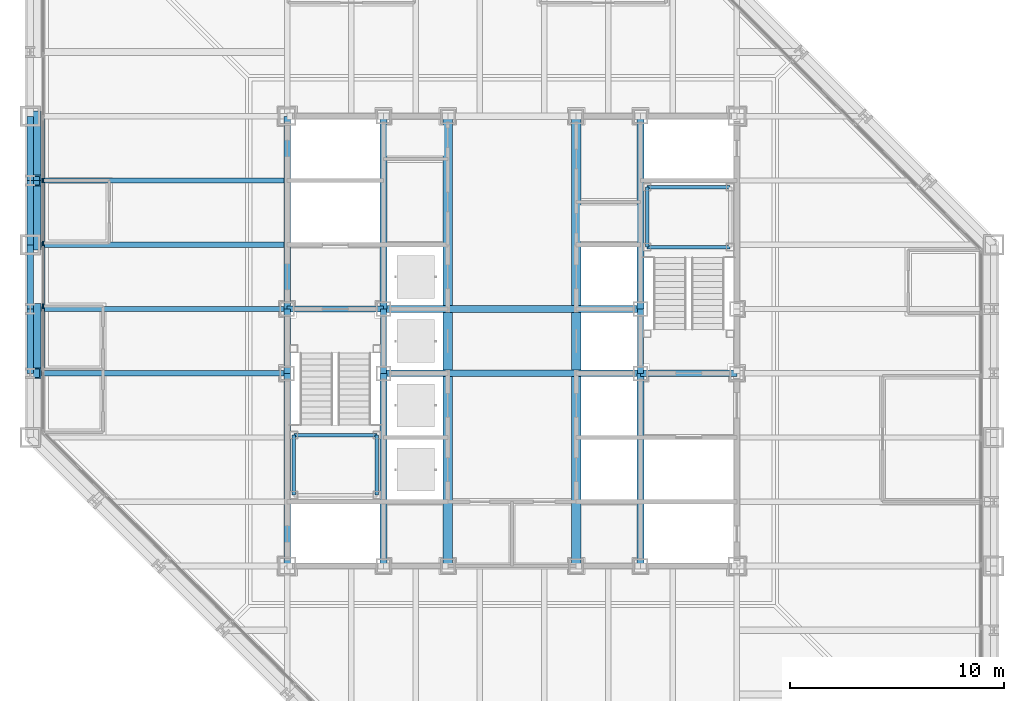
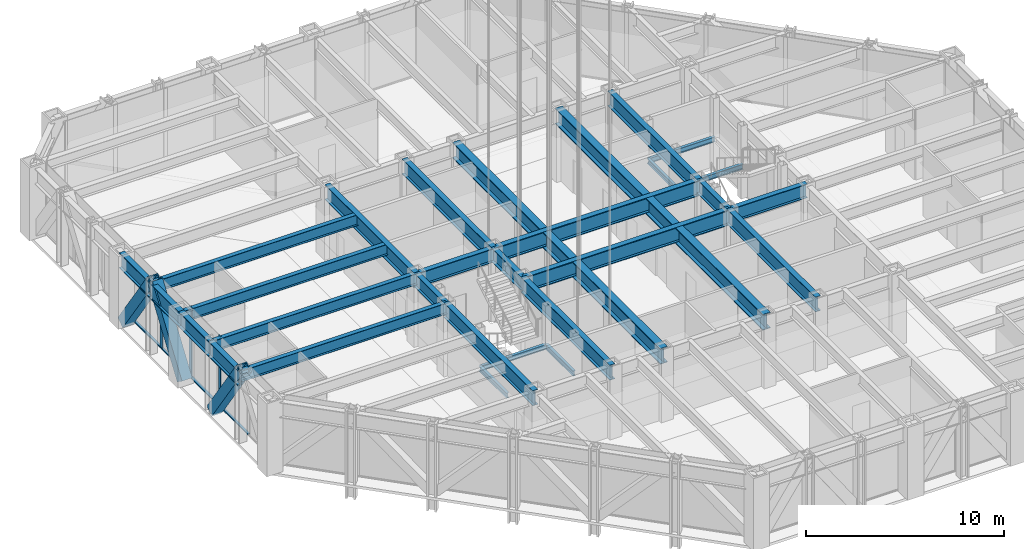
# One storey, part 5 of 26: 33 beams, 10 members, 1 element without a shape of its own.
"""IFC4 building model written with IfcOpenShell, lengths in metres."""

from ifc_helpers import new_model, si_unit, direction, frame, origin, origin_2d, place, context, subcontext, project, spatial, rectangle, hollow_rectangle, i_section, extrude, material, layer, layer_set, material_profile, profile_set, type_object, element, aggregate, save


model = new_model("IFC4")

# Units and contexts
model_context = context("Model", 3, precision=1e-05, world=origin(), true_north=direction((0.0, 1.0)))
body_context = subcontext(model_context, "Body", "Model", "MODEL_VIEW")
ifc_project = project(units=[si_unit("LENGTHUNIT", "METRE"), si_unit("AREAUNIT", "SQUARE_METRE"), si_unit("VOLUMEUNIT", "CUBIC_METRE"), si_unit("PLANEANGLEUNIT", "RADIAN"), si_unit("MASSUNIT", "GRAM", prefix="KILO")], contexts=[model_context])

# Site, building, storey
site_placement = place(None, origin())
site = spatial("IfcSite", under=ifc_project, at=site_placement, CompositionType="ELEMENT")
building_placement = place(site_placement, origin())
building = spatial("IfcBuilding", under=site, at=building_placement, Name="Chuquiago Exchange Tower", CompositionType="ELEMENT")
storey_placement = place(building_placement, frame((0.0, 0.0, 102.300048828125)))
storey = spatial("IfcBuildingStorey", under=building, at=storey_placement, Name="L21", CompositionType="ELEMENT", Elevation=102.300048828125)

# Beams
ifc_material_1 = material(Name="Steel ASTM A992", Category="steel")
ifc_material_profile_1 = material_profile(ifc_material_1, i_section(OverallWidth=0.25390625, OverallDepth=0.683349609375, WebThickness=0.012451171875, FlangeThickness=0.018798828125, at=origin_2d()), Name="W27X94")
ifc_profile_set_1 = profile_set([ifc_material_profile_1], Name="Steel ASTM A992")
beam_type_1 = type_object("IfcBeamType", Name="B1 W27X94", PredefinedType="BEAM", material=ifc_profile_set_1)
for number, where, z_axis, x_axis, name in (
    (1, (12.0, 21.0, 3.998291015625), (-1.0, 0.0, 0.0), (0.0, -1.0, 0.0), "FB-L22-infill-12_21--0_21-0"),
    (2, (12.0, 24.0, 3.998291015625), (-1.0, 0.0, 0.0), (0.0, -1.0, 0.0), "FB-L22-infill-12_24--0_24-0"),
    (3, (12.0, 27.0, 3.998291015625), (-1.0, 0.0, 0.0), (0.0, -1.0, 0.0), "FB-L22-infill-12_27--0_27-0"),
    (4, (12.0, 30.0, 3.998291015625), (-1.0, 0.0, 0.0), (0.0, -1.0, 0.0), "FB-L22-infill-12_30--0_30-0"),
):
    element("IfcBeam", number, at=place(storey_placement, frame(where, z_axis=z_axis, x_axis=x_axis)), inside=storey, type_object=beam_type_1, Name=name, PredefinedType="BEAM", context=body_context, shape_type="SweptSolid", body=[
        extrude(i_section(OverallWidth=0.25390625, OverallDepth=0.683349609375, WebThickness=0.012451171875, FlangeThickness=0.018798828125, at=origin_2d()), origin(), (0.0, 0.0, 1.0), 12.0),
    ])
ifc_material_2 = material(Name="Steel ASTM A992", Category="steel")
ifc_material_profile_2 = material_profile(ifc_material_2, i_section(OverallWidth=0.307373046875, OverallDepth=0.927001953125, WebThickness=0.01953125, FlangeThickness=0.031982421875, at=origin_2d()), Name="W36X194")
ifc_profile_set_2 = profile_set([ifc_material_profile_2], Name="Steel ASTM A992")
beam_type_2 = type_object("IfcBeamType", Name="B10 W36X194", PredefinedType="BEAM", material=ifc_profile_set_2)
for number, where, z_axis, x_axis, name in (
    (5, (12.0, 12.0, 3.87646484375), (0.0, 1.0, 0.0), (-1.0, 0.0, 0.0), "CB-L22-12_12-12_21"),
    (6, (12.0, 24.0, 3.87646484375), (0.0, 1.0, 0.0), (-1.0, 0.0, 0.0), "CB-L22-12_24-12_33"),
    (7, (16.5, 12.0, 3.87646484375), (0.0, 1.0, 0.0), (-1.0, 0.0, 0.0), "CB-L22-16.5_12-16.5_21"),
    (8, (16.5, 24.0, 3.87646484375), (0.0, 1.0, 0.0), (-1.0, 0.0, 0.0), "CB-L22-16.5_24-16.5_33"),
    (9, (28.5, 12.0, 3.87646484375), (0.0, 1.0, 0.0), (-1.0, 0.0, 0.0), "CB-L22-28.5_12-28.5_21"),
    (10, (28.5, 24.0, 3.87646484375), (0.0, 1.0, 0.0), (-1.0, 0.0, 0.0), "CB-L22-28.5_24-28.5_33"),
):
    element("IfcBeam", number, at=place(storey_placement, frame(where, z_axis=z_axis, x_axis=x_axis)), inside=storey, type_object=beam_type_2, Name=name, PredefinedType="BEAM", context=body_context, shape_type="SweptSolid", body=[
        extrude(i_section(OverallWidth=0.307373046875, OverallDepth=0.927001953125, WebThickness=0.01953125, FlangeThickness=0.031982421875, at=origin_2d()), origin(), (0.0, 0.0, 1.0), 9.0),
    ])
ifc_material_3 = material(Name="Steel ASTM A992", Category="steel")
ifc_material_profile_3 = material_profile(ifc_material_3, i_section(OverallWidth=0.309814453125, OverallDepth=0.949951171875, WebThickness=0.0244140625, FlangeThickness=0.0439453125, at=origin_2d()), Name="W36X256")
ifc_profile_set_3 = profile_set([ifc_material_profile_3], Name="Steel ASTM A992")
beam_type_3 = type_object("IfcBeamType", Name="B11 W36X256", PredefinedType="BEAM", material=ifc_profile_set_3)
for number, where, z_axis, x_axis, name in (
    (11, (16.5, 21.0, 3.864990234375), (1.0, 0.0, 0.0), (0.0, 1.0, 0.0), "CB-L22-16.5_21-28.5_21"),
    (12, (16.5, 24.0, 3.864990234375), (1.0, 0.0, 0.0), (0.0, 1.0, 0.0), "CB-L22-16.5_24-28.5_24"),
):
    element("IfcBeam", number, at=place(storey_placement, frame(where, z_axis=z_axis, x_axis=x_axis)), inside=storey, type_object=beam_type_3, Name=name, PredefinedType="BEAM", context=body_context, shape_type="SweptSolid", body=[
        extrude(i_section(OverallWidth=0.309814453125, OverallDepth=0.949951171875, WebThickness=0.0244140625, FlangeThickness=0.0439453125, at=origin_2d()), origin(), (0.0, 0.0, 1.0), 12.0),
    ])
ifc_material_4 = material(Name="Steel ASTM A992", Category="steel")
ifc_material_profile_4 = material_profile(ifc_material_4, i_section(OverallWidth=0.4267578125, OverallDepth=0.975341796875, WebThickness=0.031005859375, FlangeThickness=0.055908203125, at=origin_2d()), Name="W36X395")
ifc_profile_set_4 = profile_set([ifc_material_profile_4], Name="Steel ASTM A992")
beam_type_4 = type_object("IfcBeamType", Name="B12 W36X395", PredefinedType="BEAM", material=ifc_profile_set_4)
beam_1_placement = place(storey_placement, frame((19.5, 12.0, 3.852294921875), z_axis=(0.0, 1.0, 0.0), x_axis=(-1.0, 0.0, 0.0)))
element("IfcBeam", 13, at=beam_1_placement, inside=storey, type_object=beam_type_4, Name="CB-L22-19.5_12-19.5_20.8451", PredefinedType="BEAM", context=body_context, shape_type="SweptSolid", body=[
    extrude(i_section(OverallWidth=0.4267578125, OverallDepth=0.975341796875, WebThickness=0.031005859375, FlangeThickness=0.055908203125, at=origin_2d()), origin(), (0.0, 0.0, 1.0), 8.84521484375),
])
beam_2_placement = place(storey_placement, frame((19.5, 21.15478515625, 3.852294921875), z_axis=(0.0, 1.0, 0.0), x_axis=(-1.0, 0.0, 0.0)))
element("IfcBeam", 14, at=beam_2_placement, inside=storey, type_object=beam_type_4, Name="CB-L22-19.5_21.1549-19.5_23.8451", PredefinedType="BEAM", context=body_context, shape_type="SweptSolid", body=[
    extrude(i_section(OverallWidth=0.4267578125, OverallDepth=0.975341796875, WebThickness=0.031005859375, FlangeThickness=0.055908203125, at=origin_2d()), origin(), (0.0, 0.0, 1.0), 2.6904296875),
])
for number, where, z_axis, x_axis, name in (
    (15, (19.5, 24.15478515625, 3.852294921875), (0.0, 1.0, 0.0), (-1.0, 0.0, 0.0), "CB-L22-19.5_24.1549-19.5_33"),
    (16, (25.5, 12.0, 3.852294921875), (0.0, 1.0, 0.0), (-1.0, 0.0, 0.0), "CB-L22-25.5_12-25.5_20.8451"),
):
    element("IfcBeam", number, at=place(storey_placement, frame(where, z_axis=z_axis, x_axis=x_axis)), inside=storey, type_object=beam_type_4, Name=name, PredefinedType="BEAM", context=body_context, shape_type="SweptSolid", body=[
        extrude(i_section(OverallWidth=0.4267578125, OverallDepth=0.975341796875, WebThickness=0.031005859375, FlangeThickness=0.055908203125, at=origin_2d()), origin(), (0.0, 0.0, 1.0), 8.84521484375),
    ])
beam_3_placement = place(storey_placement, frame((25.5, 21.15478515625, 3.852294921875), z_axis=(0.0, 1.0, 0.0), x_axis=(-1.0, 0.0, 0.0)))
element("IfcBeam", 17, at=beam_3_placement, inside=storey, type_object=beam_type_4, Name="CB-L22-25.5_21.1549-25.5_23.8451", PredefinedType="BEAM", context=body_context, shape_type="SweptSolid", body=[
    extrude(i_section(OverallWidth=0.4267578125, OverallDepth=0.975341796875, WebThickness=0.031005859375, FlangeThickness=0.055908203125, at=origin_2d()), origin(), (0.0, 0.0, 1.0), 2.6904296875),
])
beam_4_placement = place(storey_placement, frame((25.5, 24.15478515625, 3.852294921875), z_axis=(0.0, 1.0, 0.0), x_axis=(-1.0, 0.0, 0.0)))
element("IfcBeam", 18, at=beam_4_placement, inside=storey, type_object=beam_type_4, Name="CB-L22-25.5_24.1549-25.5_33", PredefinedType="BEAM", context=body_context, shape_type="SweptSolid", body=[
    extrude(i_section(OverallWidth=0.4267578125, OverallDepth=0.975341796875, WebThickness=0.031005859375, FlangeThickness=0.055908203125, at=origin_2d()), origin(), (0.0, 0.0, 1.0), 8.84521484375),
])
ifc_material_5 = material(Name="Steel ASTM A992", Category="steel")
ifc_material_profile_5 = material_profile(ifc_material_5, i_section(OverallWidth=0.2919921875, OverallDepth=0.8583984375, WebThickness=0.01708984375, FlangeThickness=0.031005859375, at=origin_2d()), Name="W33X169")
ifc_profile_set_5 = profile_set([ifc_material_profile_5], Name="Steel ASTM A992")
beam_type_5 = type_object("IfcBeamType", Name="B3 W33X169", PredefinedType="BEAM", material=ifc_profile_set_5)
for number, where, z_axis, x_axis, name in (
    (19, (12.0, 21.0, 3.91064453125), (0.0, 1.0, 0.0), (-1.0, 0.0, 0.0), "CB-L22-12_21-12_24"),
    (20, (16.5, 21.0, 3.91064453125), (0.0, 1.0, 0.0), (-1.0, 0.0, 0.0), "CB-L22-16.5_21-16.5_24"),
    (21, (28.5, 21.0, 3.91064453125), (0.0, 1.0, 0.0), (-1.0, 0.0, 0.0), "CB-L22-28.5_21-28.5_24"),
):
    element("IfcBeam", number, at=place(storey_placement, frame(where, z_axis=z_axis, x_axis=x_axis)), inside=storey, type_object=beam_type_5, Name=name, PredefinedType="BEAM", context=body_context, shape_type="SweptSolid", body=[
        extrude(i_section(OverallWidth=0.2919921875, OverallDepth=0.8583984375, WebThickness=0.01708984375, FlangeThickness=0.031005859375, at=origin_2d()), origin(), (0.0, 0.0, 1.0), 3.0),
    ])
for number, where, z_axis, x_axis, name in (
    (22, (28.5, 21.0, 3.91064453125), (1.0, 0.0, 0.0), (0.0, 1.0, 0.0), "CB-L22-28.5_21-33_21"),
    (23, (12.0, 24.0, 3.91064453125), (1.0, 0.0, 0.0), (0.0, 1.0, 0.0), "CB-L22-12_24-16.5_24"),
):
    element("IfcBeam", number, at=place(storey_placement, frame(where, z_axis=z_axis, x_axis=x_axis)), inside=storey, type_object=beam_type_5, Name=name, PredefinedType="BEAM", context=body_context, shape_type="SweptSolid", body=[
        extrude(i_section(OverallWidth=0.2919921875, OverallDepth=0.8583984375, WebThickness=0.01708984375, FlangeThickness=0.031005859375, at=origin_2d()), origin(), (0.0, 0.0, 1.0), 4.5),
    ])

# Curtain wall, members
ifc_material_6 = material(Name="Aluminium curtain wall system", Category="aluminium")
ifc_layer = layer(ifc_material_6, 0.22509765625)
ifc_layer_set = layer_set([ifc_layer], Name="CW2 office curtain wall")
curtain_wall_type = type_object("IfcCurtainWallType", Name="CW2 office curtain wall", PredefinedType="NOTDEFINED", material=ifc_layer_set)
curtain_wall_placement = place(storey_placement, origin())
curtain_wall = element("IfcCurtainWall", 24, at=curtain_wall_placement, inside=storey, type_object=curtain_wall_type, Name="CW2 curtain wall L21", PredefinedType="NOTDEFINED")
ifc_material_7 = material(Name="Aluminium mullion, pale anodised", Category="aluminium")
ifc_material_profile_6 = material_profile(ifc_material_7, rectangle(XDim=0.06494140625, YDim=0.22509765625, at=origin_2d()), Name="AL 65x225")
ifc_profile_set_6 = profile_set([ifc_material_profile_6], Name="Aluminium mullion, pale anodised")
member_type_1 = type_object("IfcMemberType", Name="CW2-M mullion 65x225", PredefinedType="MULLION", material=ifc_profile_set_6)
member_1_placement = place(storey_placement, frame((0.60009765625, 30.0, 0.0), z_axis=(0.0, 0.0, 1.0), x_axis=(1.0, 0.0, 0.0)))
member_1 = element("IfcMember", 25, at=member_1_placement, type_object=member_type_1, Name="CW2 mullion 5", PredefinedType="MULLION", context=body_context, shape_type="SweptSolid", body=[
    extrude(rectangle(XDim=0.06494140625, YDim=0.22509765625, at=origin_2d()), origin(), (0.0, 0.0, 1.0), 4.33984375),
])
member_2_placement = place(storey_placement, frame((0.60009765625, 27.06201171875, 0.0), z_axis=(0.0, 0.0, 1.0), x_axis=(1.0, 0.0, 0.0)))
member_2 = element("IfcMember", 26, at=member_2_placement, type_object=member_type_1, Name="CW2 mullion 6", PredefinedType="MULLION", context=body_context, shape_type="SweptSolid", body=[
    extrude(rectangle(XDim=0.06494140625, YDim=0.22509765625, at=origin_2d()), origin(), (0.0, 0.0, 1.0), 4.33984375),
])
member_3_placement = place(storey_placement, frame((0.60009765625, 24.124267578125, 0.0), z_axis=(0.0, 0.0, 1.0), x_axis=(1.0, 0.0, 0.0)))
member_3 = element("IfcMember", 27, at=member_3_placement, type_object=member_type_1, Name="CW2 mullion 7", PredefinedType="MULLION", context=body_context, shape_type="SweptSolid", body=[
    extrude(rectangle(XDim=0.06494140625, YDim=0.22509765625, at=origin_2d()), origin(), (0.0, 0.0, 1.0), 4.33984375),
])
ifc_material_8 = material(Name="Aluminium transom, pale anodised", Category="aluminium")
ifc_material_profile_7 = material_profile(ifc_material_8, rectangle(XDim=0.139892578125, YDim=0.06494140625, at=origin_2d()), Name="AL 140x65")
ifc_profile_set_7 = profile_set([ifc_material_profile_7], Name="Aluminium transom, pale anodised")
member_type_2 = type_object("IfcMemberType", Name="CW2-T transom 65x140", PredefinedType="MULLION", material=ifc_profile_set_7)
member_4_placement = place(storey_placement, frame((0.60009765625, 32.9052734375, 0.032470703125), z_axis=(0.0, -1.0, 0.0), x_axis=(1.0, 0.0, 0.0)))
member_4 = element("IfcMember", 28, at=member_4_placement, type_object=member_type_2, Name="CW2 transom 4.1", PredefinedType="MULLION", context=body_context, shape_type="SweptSolid", body=[
    extrude(rectangle(XDim=0.139892578125, YDim=0.06494140625, at=origin_2d()), origin(), (0.0, 0.0, 1.0), 2.872802734375),
])
member_5_placement = place(storey_placement, frame((0.60009765625, 29.967529296875, 0.032470703125), z_axis=(0.0, -1.0, 0.0), x_axis=(1.0, 0.0, 0.0)))
member_5 = element("IfcMember", 29, at=member_5_placement, type_object=member_type_2, Name="CW2 transom 5.1", PredefinedType="MULLION", context=body_context, shape_type="SweptSolid", body=[
    extrude(rectangle(XDim=0.139892578125, YDim=0.06494140625, at=origin_2d()), origin(), (0.0, 0.0, 1.0), 2.872802734375),
])
member_6_placement = place(storey_placement, frame((0.60009765625, 27.029541015625, 0.032470703125), z_axis=(0.0, -1.0, 0.0), x_axis=(1.0, 0.0, 0.0)))
member_6 = element("IfcMember", 30, at=member_6_placement, type_object=member_type_2, Name="CW2 transom 6.1", PredefinedType="MULLION", context=body_context, shape_type="SweptSolid", body=[
    extrude(rectangle(XDim=0.139892578125, YDim=0.06494140625, at=origin_2d()), origin(), (0.0, 0.0, 1.0), 2.872802734375),
])
member_7_placement = place(storey_placement, frame((0.60009765625, 24.091796875, 0.032470703125), z_axis=(0.0, -1.0, 0.0), x_axis=(1.0, 0.0, 0.0)))
member_7 = element("IfcMember", 31, at=member_7_placement, type_object=member_type_2, Name="CW2 transom 7.1", PredefinedType="MULLION", context=body_context, shape_type="SweptSolid", body=[
    extrude(rectangle(XDim=0.139892578125, YDim=0.06494140625, at=origin_2d()), origin(), (0.0, 0.0, 1.0), 2.872802734375),
])
aggregate(curtain_wall, [member_1, member_2, member_3, member_4, member_5, member_6, member_7])

# Beams
ifc_material_9 = material(Name="Steel ASTM A992", Category="steel")
ifc_material_profile_8 = material_profile(ifc_material_9, i_section(OverallWidth=0.164794921875, OverallDepth=0.309814453125, WebThickness=0.005859375, FlangeThickness=0.009765625, at=origin_2d()), Name="W12X26")
ifc_profile_set_8 = profile_set([ifc_material_profile_8], Name="Steel ASTM A992")
beam_type_6 = type_object("IfcBeamType", Name="LS1 W12X26", PredefinedType="BEAM", material=ifc_profile_set_8)
for number, where, z_axis, x_axis, name in (
    (32, (12.31005859375, 15.31005859375, 1.89501953125), (0.0, 1.0, 0.0), (-1.0, 0.0, 0.0), "Stair ST1 L21 landing 1 stringer"),
    (33, (16.18994140625, 15.31005859375, 1.89501953125), (0.0, 1.0, 0.0), (-1.0, 0.0, 0.0), "Stair ST1 L21 landing 1 stringer"),
    (34, (28.81005859375, 26.889892578125, 1.89501953125), (0.0, 1.0, 0.0), (-1.0, 0.0, 0.0), "Stair ST2 L21 landing 1 stringer"),
):
    element("IfcBeam", number, at=place(storey_placement, frame(where, z_axis=z_axis, x_axis=x_axis)), inside=storey, type_object=beam_type_6, Name=name, PredefinedType="BEAM", context=body_context, shape_type="SweptSolid", body=[
        extrude(i_section(OverallWidth=0.164794921875, OverallDepth=0.309814453125, WebThickness=0.005859375, FlangeThickness=0.009765625, at=origin_2d()), origin(), (0.0, 0.0, 1.0), 2.800048828125),
    ])
ifc_material_10 = material(Name="Steel ASTM A992", Category="steel")
ifc_material_profile_9 = material_profile(ifc_material_10, i_section(OverallWidth=0.164794921875, OverallDepth=0.309814453125, WebThickness=0.005859375, FlangeThickness=0.009765625, at=origin_2d()), Name="W12X26")
ifc_profile_set_9 = profile_set([ifc_material_profile_9], Name="Steel ASTM A992")
beam_type_7 = type_object("IfcBeamType", Name="LT1 W12X26", PredefinedType="BEAM", material=ifc_profile_set_9)
for number, where, z_axis, x_axis, name in (
    (35, (12.31005859375, 18.110107421875, 1.89501953125), (1.0, 0.0, 0.0), (0.0, 1.0, 0.0), "Stair ST1 L21 landing 1 trimmer"),
    (36, (28.81005859375, 29.68994140625, 1.89501953125), (1.0, 0.0, 0.0), (0.0, 1.0, 0.0), "Stair ST2 L21 landing 1 trimmer"),
    (37, (28.81005859375, 26.889892578125, 1.89501953125), (1.0, 0.0, 0.0), (0.0, 1.0, 0.0), "Stair ST2 L21 landing 1 trimmer"),
):
    element("IfcBeam", number, at=place(storey_placement, frame(where, z_axis=z_axis, x_axis=x_axis)), inside=storey, type_object=beam_type_7, Name=name, PredefinedType="BEAM", context=body_context, shape_type="SweptSolid", body=[
        extrude(i_section(OverallWidth=0.164794921875, OverallDepth=0.309814453125, WebThickness=0.005859375, FlangeThickness=0.009765625, at=origin_2d()), origin(), (0.0, 0.0, 1.0), 3.8798828125),
    ])

# Members
ifc_material_11 = material(Name="Steel ASTM A572 Grade 50", Category="steel")
ifc_material_profile_10 = material_profile(ifc_material_11, hollow_rectangle(XDim=0.60009765625, YDim=0.60009765625, WallThickness=0.06005859375, at=origin_2d()), Name="BOX600X600X60")
ifc_profile_set_10 = profile_set([ifc_material_profile_10], Name="Steel ASTM A572 Grade 50")
member_type_3 = type_object("IfcMemberType", Name="MB2 BOX600X600X60", PredefinedType="BRACE", material=ifc_profile_set_10)
for number, where, z_axis, x_axis, name in (
    (38, (0.205078125, 33.0, 0.0), (0.0, -0.56863232121, 0.822591808417), (1.0, 0.0, 0.0), "Mega diagonal L21 W face"),
    (39, (0.205078125, 27.0, 0.0), (0.0, 0.56863232121, 0.822591808417), (-1.0, 0.0, 0.0), "Mega diagonal L21 W face"),
    (40, (0.205078125, 24.0, 0.0), (0.0, -0.56863232121, 0.822591808417), (1.0, 0.0, 0.0), "Mega diagonal L21 W face"),
):
    element("IfcMember", number, at=place(storey_placement, frame(where, z_axis=z_axis, x_axis=x_axis)), inside=storey, type_object=member_type_3, Name=name, PredefinedType="BRACE", context=body_context, shape_type="SweptSolid", body=[
        extrude(hollow_rectangle(XDim=0.60009765625, YDim=0.60009765625, WallThickness=0.06005859375, at=origin_2d()), origin(), (0.0, 0.0, 1.0), 5.27587890625),
    ])

# Beams
ifc_material_12 = material(Name="Steel ASTM A992", Category="steel")
ifc_material_profile_11 = material_profile(ifc_material_12, i_section(OverallWidth=0.309814453125, OverallDepth=0.949951171875, WebThickness=0.0244140625, FlangeThickness=0.0439453125, at=origin_2d()), Name="W36X256")
ifc_profile_set_11 = profile_set([ifc_material_profile_11], Name="Steel ASTM A992")
beam_type_8 = type_object("IfcBeamType", Name="SP2 W36X256", PredefinedType="SPANDREL", material=ifc_profile_set_11)
for number, where, z_axis, x_axis, name in (
    (41, (0.0, 33.0, 3.864990234375), (0.0, -1.0, 0.0), (1.0, 0.0, 0.0), "SPB-L22-0_33-0_30"),
    (42, (0.0, 30.0, 3.864990234375), (0.0, -1.0, 0.0), (1.0, 0.0, 0.0), "SPB-L22-0_30-0_27"),
    (43, (0.0, 27.0, 3.864990234375), (0.0, -1.0, 0.0), (1.0, 0.0, 0.0), "SPB-L22-0_27-0_24"),
    (44, (0.0, 24.0, 3.864990234375), (0.0, -1.0, 0.0), (1.0, 0.0, 0.0), "SPB-L22-0_24-0_21"),
):
    element("IfcBeam", number, at=place(storey_placement, frame(where, z_axis=z_axis, x_axis=x_axis)), inside=storey, type_object=beam_type_8, Name=name, PredefinedType="SPANDREL", context=body_context, shape_type="SweptSolid", body=[
        extrude(i_section(OverallWidth=0.309814453125, OverallDepth=0.949951171875, WebThickness=0.0244140625, FlangeThickness=0.0439453125, at=origin_2d()), origin(), (0.0, 0.0, 1.0), 3.0),
    ])

save(model, "model.ifc")
